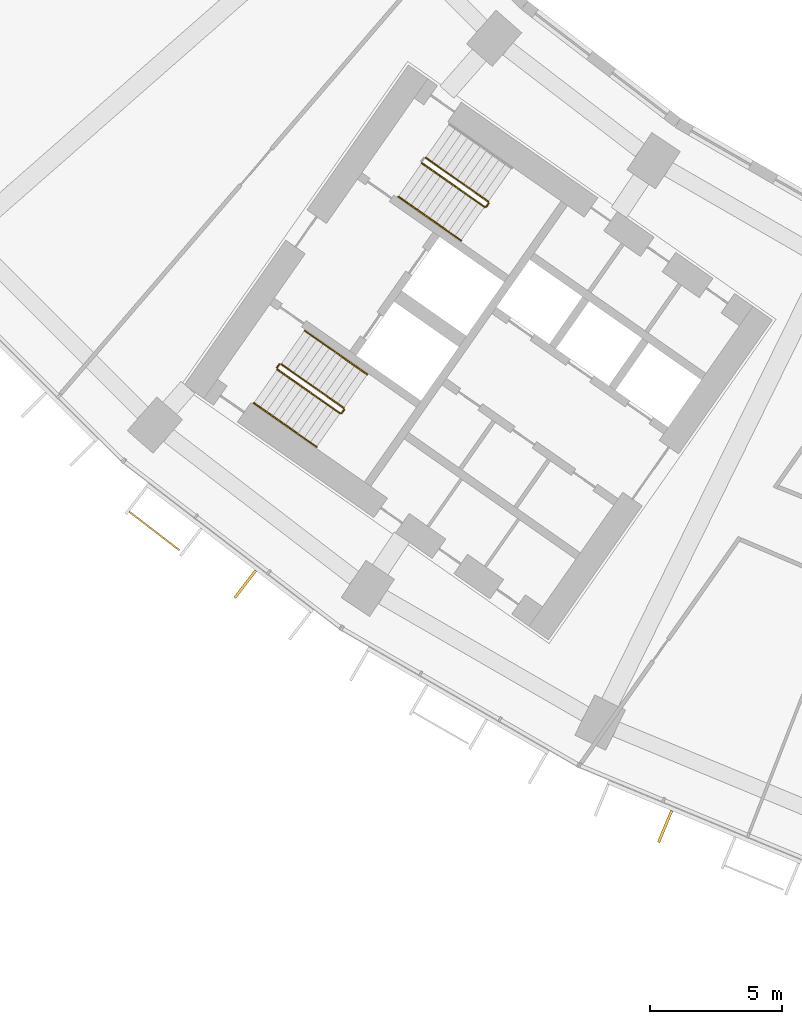
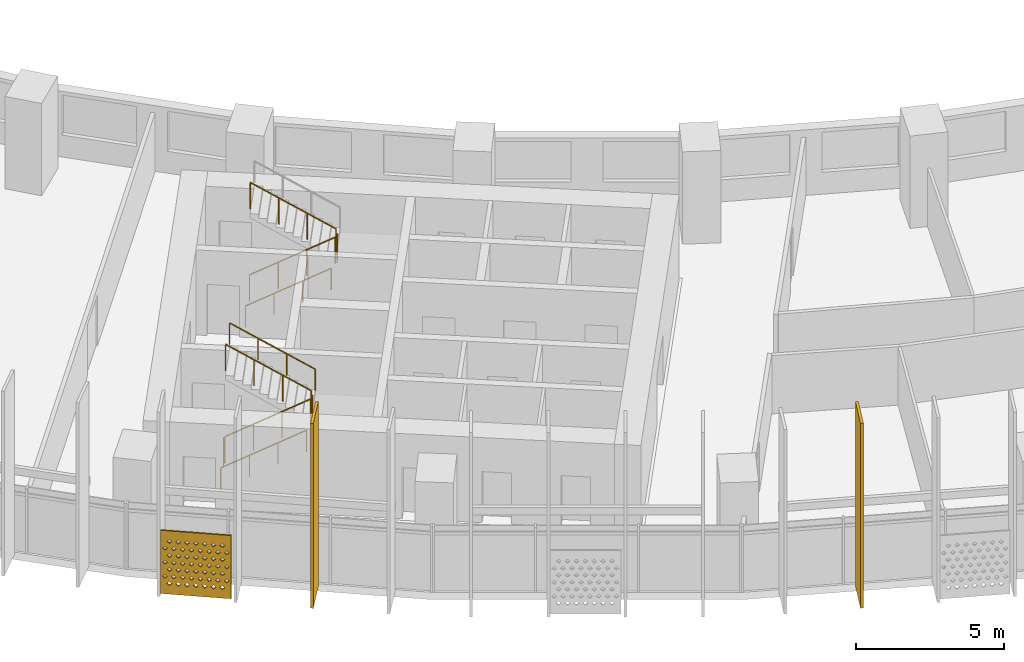
# One storey, part 26 of 32: 8 railings, 3 shading devices.
"""IFC4 building model written with IfcOpenShell, lengths in metres."""

from ifc_helpers import new_model, si_unit, direction, frame, origin, origin_2d, place, context, subcontext, project, spatial, polyline, rectangle, circle, outline, extrude, material, material_profile, profile_set, type_object, element, save


model = new_model("IFC4")

# Units and contexts
model_context = context("Model", 3, precision=1e-05, world=origin(), true_north=direction((0.0, 1.0)))
body_context = subcontext(model_context, "Body", "Model", "MODEL_VIEW")
ifc_project = project(units=[si_unit("LENGTHUNIT", "METRE"), si_unit("AREAUNIT", "SQUARE_METRE"), si_unit("VOLUMEUNIT", "CUBIC_METRE"), si_unit("PLANEANGLEUNIT", "RADIAN"), si_unit("MASSUNIT", "GRAM", prefix="KILO")], contexts=[model_context])

# Site, building, storey
site_placement = place(None, origin())
site = spatial("IfcSite", under=ifc_project, at=site_placement, CompositionType="ELEMENT")
building_placement = place(site_placement, origin())
building = spatial("IfcBuilding", under=site, at=building_placement, Name="Qamariyya Broadcast Tower", CompositionType="ELEMENT")
storey_placement = place(building_placement, frame((0.0, 0.0, 63.300048828125)))
storey = spatial("IfcBuildingStorey", under=building, at=storey_placement, Name="L12", CompositionType="ELEMENT", Elevation=63.300048828125)

# Shading device
ifc_material_1 = material(Name="Perforated glazed terracotta", Category="masonry")
ifc_material_profile_1 = material_profile(ifc_material_1, outline(polyline([(-1.199951171875, -1.300048828125), (1.199951171875, -1.300048828125), (1.199951171875, 1.300048828125), (-1.199951171875, 1.300048828125), (-1.199951171875, -1.300048828125)]), holes=[polyline([(-0.81494140625, -0.86669921875), (-0.89990234375, -0.78173828125), (-0.985107421875, -0.86669921875), (-0.89990234375, -0.95166015625), (-0.81494140625, -0.86669921875)]), polyline([(-0.514892578125, -0.86669921875), (-0.60009765625, -0.78173828125), (-0.68505859375, -0.86669921875), (-0.60009765625, -0.95166015625), (-0.514892578125, -0.86669921875)]), polyline([(-0.215087890625, -0.86669921875), (-0.300048828125, -0.78173828125), (-0.385009765625, -0.86669921875), (-0.300048828125, -0.95166015625), (-0.215087890625, -0.86669921875)]), polyline([(0.0849609375, -0.86669921875), (0.0, -0.78173828125), (-0.0849609375, -0.86669921875), (0.0, -0.95166015625), (0.0849609375, -0.86669921875)]), polyline([(0.385009765625, -0.86669921875), (0.300048828125, -0.78173828125), (0.215087890625, -0.86669921875), (0.300048828125, -0.95166015625), (0.385009765625, -0.86669921875)]), polyline([(0.68505859375, -0.86669921875), (0.60009765625, -0.78173828125), (0.514892578125, -0.86669921875), (0.60009765625, -0.95166015625), (0.68505859375, -0.86669921875)]), polyline([(0.985107421875, -0.86669921875), (0.89990234375, -0.78173828125), (0.81494140625, -0.86669921875), (0.89990234375, -0.95166015625), (0.985107421875, -0.86669921875)]), polyline([(-0.965087890625, -0.577880859375), (-1.050048828125, -0.49267578125), (-1.135009765625, -0.577880859375), (-1.050048828125, -0.662841796875), (-0.965087890625, -0.577880859375)]), polyline([(-0.6650390625, -0.577880859375), (-0.75, -0.49267578125), (-0.8349609375, -0.577880859375), (-0.75, -0.662841796875), (-0.6650390625, -0.577880859375)]), polyline([(-0.364990234375, -0.577880859375), (-0.449951171875, -0.49267578125), (-0.534912109375, -0.577880859375), (-0.449951171875, -0.662841796875), (-0.364990234375, -0.577880859375)]), polyline([(-0.06494140625, -0.577880859375), (-0.14990234375, -0.49267578125), (-0.235107421875, -0.577880859375), (-0.14990234375, -0.662841796875), (-0.06494140625, -0.577880859375)]), polyline([(0.235107421875, -0.577880859375), (0.14990234375, -0.49267578125), (0.06494140625, -0.577880859375), (0.14990234375, -0.662841796875), (0.235107421875, -0.577880859375)]), polyline([(0.534912109375, -0.577880859375), (0.449951171875, -0.49267578125), (0.364990234375, -0.577880859375), (0.449951171875, -0.662841796875), (0.534912109375, -0.577880859375)]), polyline([(0.8349609375, -0.577880859375), (0.75, -0.49267578125), (0.6650390625, -0.577880859375), (0.75, -0.662841796875), (0.8349609375, -0.577880859375)]), polyline([(1.135009765625, -0.577880859375), (1.050048828125, -0.49267578125), (0.965087890625, -0.577880859375), (1.050048828125, -0.662841796875), (1.135009765625, -0.577880859375)]), polyline([(-0.81494140625, -0.288818359375), (-0.89990234375, -0.203857421875), (-0.985107421875, -0.288818359375), (-0.89990234375, -0.373779296875), (-0.81494140625, -0.288818359375)]), polyline([(-0.514892578125, -0.288818359375), (-0.60009765625, -0.203857421875), (-0.68505859375, -0.288818359375), (-0.60009765625, -0.373779296875), (-0.514892578125, -0.288818359375)]), polyline([(-0.215087890625, -0.288818359375), (-0.300048828125, -0.203857421875), (-0.385009765625, -0.288818359375), (-0.300048828125, -0.373779296875), (-0.215087890625, -0.288818359375)]), polyline([(0.0849609375, -0.288818359375), (0.0, -0.203857421875), (-0.0849609375, -0.288818359375), (0.0, -0.373779296875), (0.0849609375, -0.288818359375)]), polyline([(0.385009765625, -0.288818359375), (0.300048828125, -0.203857421875), (0.215087890625, -0.288818359375), (0.300048828125, -0.373779296875), (0.385009765625, -0.288818359375)]), polyline([(0.68505859375, -0.288818359375), (0.60009765625, -0.203857421875), (0.514892578125, -0.288818359375), (0.60009765625, -0.373779296875), (0.68505859375, -0.288818359375)]), polyline([(0.985107421875, -0.288818359375), (0.89990234375, -0.203857421875), (0.81494140625, -0.288818359375), (0.89990234375, -0.373779296875), (0.985107421875, -0.288818359375)]), polyline([(-0.965087890625, 0.0), (-1.050048828125, 0.0849609375), (-1.135009765625, 0.0), (-1.050048828125, -0.0849609375), (-0.965087890625, 0.0)]), polyline([(-0.6650390625, 0.0), (-0.75, 0.0849609375), (-0.8349609375, 0.0), (-0.75, -0.0849609375), (-0.6650390625, 0.0)]), polyline([(-0.364990234375, 0.0), (-0.449951171875, 0.0849609375), (-0.534912109375, 0.0), (-0.449951171875, -0.0849609375), (-0.364990234375, 0.0)]), polyline([(-0.06494140625, 0.0), (-0.14990234375, 0.0849609375), (-0.235107421875, 0.0), (-0.14990234375, -0.0849609375), (-0.06494140625, 0.0)]), polyline([(0.235107421875, 0.0), (0.14990234375, 0.0849609375), (0.06494140625, 0.0), (0.14990234375, -0.0849609375), (0.235107421875, 0.0)]), polyline([(0.534912109375, 0.0), (0.449951171875, 0.0849609375), (0.364990234375, 0.0), (0.449951171875, -0.0849609375), (0.534912109375, 0.0)]), polyline([(0.8349609375, 0.0), (0.75, 0.0849609375), (0.6650390625, 0.0), (0.75, -0.0849609375), (0.8349609375, 0.0)]), polyline([(1.135009765625, 0.0), (1.050048828125, 0.0849609375), (0.965087890625, 0.0), (1.050048828125, -0.0849609375), (1.135009765625, 0.0)]), polyline([(-0.81494140625, 0.288818359375), (-0.89990234375, 0.373779296875), (-0.985107421875, 0.288818359375), (-0.89990234375, 0.203857421875), (-0.81494140625, 0.288818359375)]), polyline([(-0.514892578125, 0.288818359375), (-0.60009765625, 0.373779296875), (-0.68505859375, 0.288818359375), (-0.60009765625, 0.203857421875), (-0.514892578125, 0.288818359375)]), polyline([(-0.215087890625, 0.288818359375), (-0.300048828125, 0.373779296875), (-0.385009765625, 0.288818359375), (-0.300048828125, 0.203857421875), (-0.215087890625, 0.288818359375)]), polyline([(0.0849609375, 0.288818359375), (0.0, 0.373779296875), (-0.0849609375, 0.288818359375), (0.0, 0.203857421875), (0.0849609375, 0.288818359375)]), polyline([(0.385009765625, 0.288818359375), (0.300048828125, 0.373779296875), (0.215087890625, 0.288818359375), (0.300048828125, 0.203857421875), (0.385009765625, 0.288818359375)]), polyline([(0.68505859375, 0.288818359375), (0.60009765625, 0.373779296875), (0.514892578125, 0.288818359375), (0.60009765625, 0.203857421875), (0.68505859375, 0.288818359375)]), polyline([(0.985107421875, 0.288818359375), (0.89990234375, 0.373779296875), (0.81494140625, 0.288818359375), (0.89990234375, 0.203857421875), (0.985107421875, 0.288818359375)]), polyline([(-0.965087890625, 0.577880859375), (-1.050048828125, 0.662841796875), (-1.135009765625, 0.577880859375), (-1.050048828125, 0.49267578125), (-0.965087890625, 0.577880859375)]), polyline([(-0.6650390625, 0.577880859375), (-0.75, 0.662841796875), (-0.8349609375, 0.577880859375), (-0.75, 0.49267578125), (-0.6650390625, 0.577880859375)]), polyline([(-0.364990234375, 0.577880859375), (-0.449951171875, 0.662841796875), (-0.534912109375, 0.577880859375), (-0.449951171875, 0.49267578125), (-0.364990234375, 0.577880859375)]), polyline([(-0.06494140625, 0.577880859375), (-0.14990234375, 0.662841796875), (-0.235107421875, 0.577880859375), (-0.14990234375, 0.49267578125), (-0.06494140625, 0.577880859375)]), polyline([(0.235107421875, 0.577880859375), (0.14990234375, 0.662841796875), (0.06494140625, 0.577880859375), (0.14990234375, 0.49267578125), (0.235107421875, 0.577880859375)]), polyline([(0.534912109375, 0.577880859375), (0.449951171875, 0.662841796875), (0.364990234375, 0.577880859375), (0.449951171875, 0.49267578125), (0.534912109375, 0.577880859375)]), polyline([(0.8349609375, 0.577880859375), (0.75, 0.662841796875), (0.6650390625, 0.577880859375), (0.75, 0.49267578125), (0.8349609375, 0.577880859375)]), polyline([(1.135009765625, 0.577880859375), (1.050048828125, 0.662841796875), (0.965087890625, 0.577880859375), (1.050048828125, 0.49267578125), (1.135009765625, 0.577880859375)]), polyline([(-0.81494140625, 0.86669921875), (-0.89990234375, 0.95166015625), (-0.985107421875, 0.86669921875), (-0.89990234375, 0.78173828125), (-0.81494140625, 0.86669921875)]), polyline([(-0.514892578125, 0.86669921875), (-0.60009765625, 0.95166015625), (-0.68505859375, 0.86669921875), (-0.60009765625, 0.78173828125), (-0.514892578125, 0.86669921875)]), polyline([(-0.215087890625, 0.86669921875), (-0.300048828125, 0.95166015625), (-0.385009765625, 0.86669921875), (-0.300048828125, 0.78173828125), (-0.215087890625, 0.86669921875)]), polyline([(0.0849609375, 0.86669921875), (0.0, 0.95166015625), (-0.0849609375, 0.86669921875), (0.0, 0.78173828125), (0.0849609375, 0.86669921875)]), polyline([(0.385009765625, 0.86669921875), (0.300048828125, 0.95166015625), (0.215087890625, 0.86669921875), (0.300048828125, 0.78173828125), (0.385009765625, 0.86669921875)]), polyline([(0.68505859375, 0.86669921875), (0.60009765625, 0.95166015625), (0.514892578125, 0.86669921875), (0.60009765625, 0.78173828125), (0.68505859375, 0.86669921875)]), polyline([(0.985107421875, 0.86669921875), (0.89990234375, 0.95166015625), (0.81494140625, 0.86669921875), (0.89990234375, 0.78173828125), (0.985107421875, 0.86669921875)])]))
ifc_profile_set_1 = profile_set([ifc_material_profile_1], Name="Perforated glazed terracotta")
shading_device_type_1 = type_object("IfcShadingDeviceType", Name="Perforated terracotta screen 2400 x 2600", PredefinedType="USERDEFINED", material=ifc_profile_set_1)
shading_device_placement = place(storey_placement, frame((-51.26513671875, -62.4453125, 1.349853515625), z_axis=(-0.60971076085, -0.792623989105, 0.0), x_axis=(0.792623989105, -0.60971076085, 0.0)))
element("IfcShadingDevice", 1, at=shading_device_placement, inside=storey, type_object=shading_device_type_1, Name="e-scr-L12-03-0", ObjectType="SCREEN", PredefinedType="USERDEFINED", context=body_context, shape_type="SweptSolid", body=[
    extrude(outline(polyline([(-1.199951171875, -1.300048828125), (1.199951171875, -1.300048828125), (1.199951171875, 1.300048828125), (-1.199951171875, 1.300048828125), (-1.199951171875, -1.300048828125)]), holes=[polyline([(-0.81494140625, -0.86669921875), (-0.89990234375, -0.78173828125), (-0.985107421875, -0.86669921875), (-0.89990234375, -0.95166015625), (-0.81494140625, -0.86669921875)]), polyline([(-0.514892578125, -0.86669921875), (-0.60009765625, -0.78173828125), (-0.68505859375, -0.86669921875), (-0.60009765625, -0.95166015625), (-0.514892578125, -0.86669921875)]), polyline([(-0.215087890625, -0.86669921875), (-0.300048828125, -0.78173828125), (-0.385009765625, -0.86669921875), (-0.300048828125, -0.95166015625), (-0.215087890625, -0.86669921875)]), polyline([(0.0849609375, -0.86669921875), (0.0, -0.78173828125), (-0.0849609375, -0.86669921875), (0.0, -0.95166015625), (0.0849609375, -0.86669921875)]), polyline([(0.385009765625, -0.86669921875), (0.300048828125, -0.78173828125), (0.215087890625, -0.86669921875), (0.300048828125, -0.95166015625), (0.385009765625, -0.86669921875)]), polyline([(0.68505859375, -0.86669921875), (0.60009765625, -0.78173828125), (0.514892578125, -0.86669921875), (0.60009765625, -0.95166015625), (0.68505859375, -0.86669921875)]), polyline([(0.985107421875, -0.86669921875), (0.89990234375, -0.78173828125), (0.81494140625, -0.86669921875), (0.89990234375, -0.95166015625), (0.985107421875, -0.86669921875)]), polyline([(-0.965087890625, -0.577880859375), (-1.050048828125, -0.49267578125), (-1.135009765625, -0.577880859375), (-1.050048828125, -0.662841796875), (-0.965087890625, -0.577880859375)]), polyline([(-0.6650390625, -0.577880859375), (-0.75, -0.49267578125), (-0.8349609375, -0.577880859375), (-0.75, -0.662841796875), (-0.6650390625, -0.577880859375)]), polyline([(-0.364990234375, -0.577880859375), (-0.449951171875, -0.49267578125), (-0.534912109375, -0.577880859375), (-0.449951171875, -0.662841796875), (-0.364990234375, -0.577880859375)]), polyline([(-0.06494140625, -0.577880859375), (-0.14990234375, -0.49267578125), (-0.235107421875, -0.577880859375), (-0.14990234375, -0.662841796875), (-0.06494140625, -0.577880859375)]), polyline([(0.235107421875, -0.577880859375), (0.14990234375, -0.49267578125), (0.06494140625, -0.577880859375), (0.14990234375, -0.662841796875), (0.235107421875, -0.577880859375)]), polyline([(0.534912109375, -0.577880859375), (0.449951171875, -0.49267578125), (0.364990234375, -0.577880859375), (0.449951171875, -0.662841796875), (0.534912109375, -0.577880859375)]), polyline([(0.8349609375, -0.577880859375), (0.75, -0.49267578125), (0.6650390625, -0.577880859375), (0.75, -0.662841796875), (0.8349609375, -0.577880859375)]), polyline([(1.135009765625, -0.577880859375), (1.050048828125, -0.49267578125), (0.965087890625, -0.577880859375), (1.050048828125, -0.662841796875), (1.135009765625, -0.577880859375)]), polyline([(-0.81494140625, -0.288818359375), (-0.89990234375, -0.203857421875), (-0.985107421875, -0.288818359375), (-0.89990234375, -0.373779296875), (-0.81494140625, -0.288818359375)]), polyline([(-0.514892578125, -0.288818359375), (-0.60009765625, -0.203857421875), (-0.68505859375, -0.288818359375), (-0.60009765625, -0.373779296875), (-0.514892578125, -0.288818359375)]), polyline([(-0.215087890625, -0.288818359375), (-0.300048828125, -0.203857421875), (-0.385009765625, -0.288818359375), (-0.300048828125, -0.373779296875), (-0.215087890625, -0.288818359375)]), polyline([(0.0849609375, -0.288818359375), (0.0, -0.203857421875), (-0.0849609375, -0.288818359375), (0.0, -0.373779296875), (0.0849609375, -0.288818359375)]), polyline([(0.385009765625, -0.288818359375), (0.300048828125, -0.203857421875), (0.215087890625, -0.288818359375), (0.300048828125, -0.373779296875), (0.385009765625, -0.288818359375)]), polyline([(0.68505859375, -0.288818359375), (0.60009765625, -0.203857421875), (0.514892578125, -0.288818359375), (0.60009765625, -0.373779296875), (0.68505859375, -0.288818359375)]), polyline([(0.985107421875, -0.288818359375), (0.89990234375, -0.203857421875), (0.81494140625, -0.288818359375), (0.89990234375, -0.373779296875), (0.985107421875, -0.288818359375)]), polyline([(-0.965087890625, 0.0), (-1.050048828125, 0.0849609375), (-1.135009765625, 0.0), (-1.050048828125, -0.0849609375), (-0.965087890625, 0.0)]), polyline([(-0.6650390625, 0.0), (-0.75, 0.0849609375), (-0.8349609375, 0.0), (-0.75, -0.0849609375), (-0.6650390625, 0.0)]), polyline([(-0.364990234375, 0.0), (-0.449951171875, 0.0849609375), (-0.534912109375, 0.0), (-0.449951171875, -0.0849609375), (-0.364990234375, 0.0)]), polyline([(-0.06494140625, 0.0), (-0.14990234375, 0.0849609375), (-0.235107421875, 0.0), (-0.14990234375, -0.0849609375), (-0.06494140625, 0.0)]), polyline([(0.235107421875, 0.0), (0.14990234375, 0.0849609375), (0.06494140625, 0.0), (0.14990234375, -0.0849609375), (0.235107421875, 0.0)]), polyline([(0.534912109375, 0.0), (0.449951171875, 0.0849609375), (0.364990234375, 0.0), (0.449951171875, -0.0849609375), (0.534912109375, 0.0)]), polyline([(0.8349609375, 0.0), (0.75, 0.0849609375), (0.6650390625, 0.0), (0.75, -0.0849609375), (0.8349609375, 0.0)]), polyline([(1.135009765625, 0.0), (1.050048828125, 0.0849609375), (0.965087890625, 0.0), (1.050048828125, -0.0849609375), (1.135009765625, 0.0)]), polyline([(-0.81494140625, 0.288818359375), (-0.89990234375, 0.373779296875), (-0.985107421875, 0.288818359375), (-0.89990234375, 0.203857421875), (-0.81494140625, 0.288818359375)]), polyline([(-0.514892578125, 0.288818359375), (-0.60009765625, 0.373779296875), (-0.68505859375, 0.288818359375), (-0.60009765625, 0.203857421875), (-0.514892578125, 0.288818359375)]), polyline([(-0.215087890625, 0.288818359375), (-0.300048828125, 0.373779296875), (-0.385009765625, 0.288818359375), (-0.300048828125, 0.203857421875), (-0.215087890625, 0.288818359375)]), polyline([(0.0849609375, 0.288818359375), (0.0, 0.373779296875), (-0.0849609375, 0.288818359375), (0.0, 0.203857421875), (0.0849609375, 0.288818359375)]), polyline([(0.385009765625, 0.288818359375), (0.300048828125, 0.373779296875), (0.215087890625, 0.288818359375), (0.300048828125, 0.203857421875), (0.385009765625, 0.288818359375)]), polyline([(0.68505859375, 0.288818359375), (0.60009765625, 0.373779296875), (0.514892578125, 0.288818359375), (0.60009765625, 0.203857421875), (0.68505859375, 0.288818359375)]), polyline([(0.985107421875, 0.288818359375), (0.89990234375, 0.373779296875), (0.81494140625, 0.288818359375), (0.89990234375, 0.203857421875), (0.985107421875, 0.288818359375)]), polyline([(-0.965087890625, 0.577880859375), (-1.050048828125, 0.662841796875), (-1.135009765625, 0.577880859375), (-1.050048828125, 0.49267578125), (-0.965087890625, 0.577880859375)]), polyline([(-0.6650390625, 0.577880859375), (-0.75, 0.662841796875), (-0.8349609375, 0.577880859375), (-0.75, 0.49267578125), (-0.6650390625, 0.577880859375)]), polyline([(-0.364990234375, 0.577880859375), (-0.449951171875, 0.662841796875), (-0.534912109375, 0.577880859375), (-0.449951171875, 0.49267578125), (-0.364990234375, 0.577880859375)]), polyline([(-0.06494140625, 0.577880859375), (-0.14990234375, 0.662841796875), (-0.235107421875, 0.577880859375), (-0.14990234375, 0.49267578125), (-0.06494140625, 0.577880859375)]), polyline([(0.235107421875, 0.577880859375), (0.14990234375, 0.662841796875), (0.06494140625, 0.577880859375), (0.14990234375, 0.49267578125), (0.235107421875, 0.577880859375)]), polyline([(0.534912109375, 0.577880859375), (0.449951171875, 0.662841796875), (0.364990234375, 0.577880859375), (0.449951171875, 0.49267578125), (0.534912109375, 0.577880859375)]), polyline([(0.8349609375, 0.577880859375), (0.75, 0.662841796875), (0.6650390625, 0.577880859375), (0.75, 0.49267578125), (0.8349609375, 0.577880859375)]), polyline([(1.135009765625, 0.577880859375), (1.050048828125, 0.662841796875), (0.965087890625, 0.577880859375), (1.050048828125, 0.49267578125), (1.135009765625, 0.577880859375)]), polyline([(-0.81494140625, 0.86669921875), (-0.89990234375, 0.95166015625), (-0.985107421875, 0.86669921875), (-0.89990234375, 0.78173828125), (-0.81494140625, 0.86669921875)]), polyline([(-0.514892578125, 0.86669921875), (-0.60009765625, 0.95166015625), (-0.68505859375, 0.86669921875), (-0.60009765625, 0.78173828125), (-0.514892578125, 0.86669921875)]), polyline([(-0.215087890625, 0.86669921875), (-0.300048828125, 0.95166015625), (-0.385009765625, 0.86669921875), (-0.300048828125, 0.78173828125), (-0.215087890625, 0.86669921875)]), polyline([(0.0849609375, 0.86669921875), (0.0, 0.95166015625), (-0.0849609375, 0.86669921875), (0.0, 0.78173828125), (0.0849609375, 0.86669921875)]), polyline([(0.385009765625, 0.86669921875), (0.300048828125, 0.95166015625), (0.215087890625, 0.86669921875), (0.300048828125, 0.78173828125), (0.385009765625, 0.86669921875)]), polyline([(0.68505859375, 0.86669921875), (0.60009765625, 0.95166015625), (0.514892578125, 0.86669921875), (0.60009765625, 0.78173828125), (0.68505859375, 0.86669921875)]), polyline([(0.985107421875, 0.86669921875), (0.89990234375, 0.95166015625), (0.81494140625, 0.86669921875), (0.89990234375, 0.78173828125), (0.985107421875, 0.86669921875)])]), origin(), (0.0, 0.0, 1.0), 0.06005859375),
])

# Railings
ifc_material_2 = material(Name="Painted steel", Category="steel")
railing_type_1 = type_object("IfcRailingType", Name="Stair guard", PredefinedType="GUARDRAIL", material=ifc_material_2)
railing_1_placement = place(storey_placement, frame((-41.146728515625, -48.52490234375, 0.172607421875)))
element("IfcRailing", 2, at=railing_1_placement, inside=storey, type_object=railing_type_1, Name="L12 ST-W2 stair guard 1", PredefinedType="GUARDRAIL", context=body_context, shape_type="SweptSolid", body=[
    extrude(circle(Radius=0.02392578125, at=origin_2d()), frame((0.0, 0.0, 1.076171875), z_axis=(0.703770094002, -0.492783725636, 0.511734163933), x_axis=(0.573575343427, 0.819152809562, 0.0)), (0.0, 0.0, 1.0), 3.37548828125),
    extrude(circle(Radius=0.02392578125, at=origin_2d()), frame((2.37548828125, -1.663330078125, 2.80322265625), z_axis=(0.985059694769, 0.172213233351, 0.0), x_axis=(-0.172213233351, 0.985059694769, 0.0)), (0.0, 0.0, 1.0), 0.07080078125),
    extrude(circle(Radius=0.02392578125, at=origin_2d()), frame((2.4453125, -1.651123046875, 2.80322265625), z_axis=(0.572588637393, 0.819842821722, 0.0), x_axis=(-0.819842821722, 0.572588637393, 0.0)), (0.0, 0.0, 1.0), 0.150146484375),
    extrude(circle(Radius=0.02099609375, at=origin_2d()), origin(), (0.0, 0.0, 1.0), 1.052001953125),
    extrude(circle(Radius=0.02099609375, at=origin_2d()), frame((0.791748046875, -0.554443359375, 0.57568359375)), (0.0, 0.0, 1.0), 1.052001953125),
    extrude(circle(Radius=0.02099609375, at=origin_2d()), frame((1.583740234375, -1.10888671875, 1.151611328125)), (0.0, 0.0, 1.0), 1.052001953125),
    extrude(circle(Radius=0.02099609375, at=origin_2d()), frame((2.37548828125, -1.663330078125, 1.727294921875)), (0.0, 0.0, 1.0), 1.052001953125),
    extrude(circle(Radius=0.02099609375, at=origin_2d()), frame((2.4453125, -1.651123046875, 1.727294921875)), (0.0, 0.0, 1.0), 1.052001953125),
    extrude(circle(Radius=0.02099609375, at=origin_2d()), frame((2.53125, -1.528076171875, 1.727294921875)), (0.0, 0.0, 1.0), 1.052001953125),
])
railing_2_placement = place(storey_placement, frame((-38.627685546875, -49.9833984375, 2.07275390625)))
element("IfcRailing", 3, at=railing_2_placement, inside=storey, type_object=railing_type_1, Name="L12 ST-W2 stair guard 2", PredefinedType="GUARDRAIL", context=body_context, shape_type="SweptSolid", body=[
    extrude(circle(Radius=0.02392578125, at=origin_2d()), frame((0.0, 0.0, 1.076171875), z_axis=(-0.703770094002, 0.492783725636, 0.511734163933), x_axis=(-0.573575343427, -0.819152809562, 0.0)), (0.0, 0.0, 1.0), 3.37548828125),
    extrude(circle(Radius=0.02099609375, at=origin_2d()), origin(), (0.0, 0.0, 1.0), 1.052001953125),
    extrude(circle(Radius=0.02099609375, at=origin_2d()), frame((-0.791748046875, 0.554443359375, 0.57568359375)), (0.0, 0.0, 1.0), 1.052001953125),
    extrude(circle(Radius=0.02099609375, at=origin_2d()), frame((-1.583740234375, 1.10888671875, 1.151611328125)), (0.0, 0.0, 1.0), 1.052001953125),
    extrude(circle(Radius=0.02099609375, at=origin_2d()), frame((-2.37548828125, 1.663330078125, 1.727294921875)), (0.0, 0.0, 1.0), 1.052001953125),
])
railing_3_placement = place(storey_placement, frame((-46.624267578125, -56.34765625, 0.172607421875)))
element("IfcRailing", 4, at=railing_3_placement, inside=storey, type_object=railing_type_1, Name="L12 ST-W1 stair guard 1", PredefinedType="GUARDRAIL", context=body_context, shape_type="SweptSolid", body=[
    extrude(circle(Radius=0.02392578125, at=origin_2d()), frame((0.0, 0.0, 1.076171875), z_axis=(0.703745009021, -0.492838488332, 0.511715923826), x_axis=(0.573631830683, 0.819113253969, 0.0)), (0.0, 0.0, 1.0), 3.37548828125),
    extrude(circle(Radius=0.02392578125, at=origin_2d()), frame((2.37548828125, -1.66357421875, 2.80322265625), z_axis=(0.984363469884, 0.176149252506, 0.0), x_axis=(-0.176149252506, 0.984363469884, 0.0)), (0.0, 0.0, 1.0), 0.07080078125),
    extrude(circle(Radius=0.02392578125, at=origin_2d()), frame((2.445068359375, -1.651123046875, 2.80322265625), z_axis=(0.574444878118, 0.818543268254, 0.0), x_axis=(-0.818543268254, 0.574444878118, 0.0)), (0.0, 0.0, 1.0), 0.150146484375),
    extrude(circle(Radius=0.02099609375, at=origin_2d()), origin(), (0.0, 0.0, 1.0), 1.052001953125),
    extrude(circle(Radius=0.02099609375, at=origin_2d()), frame((0.791748046875, -0.554443359375, 0.57568359375)), (0.0, 0.0, 1.0), 1.052001953125),
    extrude(circle(Radius=0.02099609375, at=origin_2d()), frame((1.583740234375, -1.109130859375, 1.151611328125)), (0.0, 0.0, 1.0), 1.052001953125),
    extrude(circle(Radius=0.02099609375, at=origin_2d()), frame((2.37548828125, -1.66357421875, 1.727294921875)), (0.0, 0.0, 1.0), 1.052001953125),
    extrude(circle(Radius=0.02099609375, at=origin_2d()), frame((2.445068359375, -1.651123046875, 1.727294921875)), (0.0, 0.0, 1.0), 1.052001953125),
    extrude(circle(Radius=0.02099609375, at=origin_2d()), frame((2.53125, -1.5283203125, 1.727294921875)), (0.0, 0.0, 1.0), 1.052001953125),
])
railing_4_placement = place(storey_placement, frame((-44.10546875, -57.806396484375, 2.07275390625)))
element("IfcRailing", 5, at=railing_4_placement, inside=storey, type_object=railing_type_1, Name="L12 ST-W1 stair guard 2", PredefinedType="GUARDRAIL", context=body_context, shape_type="SweptSolid", body=[
    extrude(circle(Radius=0.02392578125, at=origin_2d()), frame((0.0, 0.0, 1.076171875), z_axis=(-0.703770094002, 0.492783725636, 0.511734163933), x_axis=(-0.573575343427, -0.819152809562, 0.0)), (0.0, 0.0, 1.0), 3.37548828125),
    extrude(circle(Radius=0.02099609375, at=origin_2d()), origin(), (0.0, 0.0, 1.0), 1.052001953125),
    extrude(circle(Radius=0.02099609375, at=origin_2d()), frame((-0.791748046875, 0.554443359375, 0.57568359375)), (0.0, 0.0, 1.0), 1.052001953125),
    extrude(circle(Radius=0.02099609375, at=origin_2d()), frame((-1.583740234375, 1.10888671875, 1.151611328125)), (0.0, 0.0, 1.0), 1.052001953125),
    extrude(circle(Radius=0.02099609375, at=origin_2d()), frame((-2.37548828125, 1.663330078125, 1.727294921875)), (0.0, 0.0, 1.0), 1.052001953125),
])
railing_5_placement = place(storey_placement, frame((-46.63671875, -56.278076171875, 0.0)))
element("IfcRailing", 6, at=railing_5_placement, inside=storey, type_object=railing_type_1, Name="L12 ST-W1 stair guard 3", PredefinedType="GUARDRAIL", context=body_context, shape_type="SweptSolid", body=[
    extrude(circle(Radius=0.02392578125, at=origin_2d()), frame((0.0, 0.0, 1.076171875), z_axis=(0.574444878118, 0.818543268254, 0.0), x_axis=(-0.818543268254, 0.574444878118, 0.0)), (0.0, 0.0, 1.0), 0.150146484375),
    extrude(circle(Radius=0.02099609375, at=origin_2d()), origin(), (0.0, 0.0, 1.0), 1.052001953125),
    extrude(circle(Radius=0.02099609375, at=origin_2d()), frame((0.086181640625, 0.122802734375, 0.0)), (0.0, 0.0, 1.0), 1.052001953125),
])
ifc_material_3 = material(Name="Stainless steel", Category="steel")
railing_type_2 = type_object("IfcRailingType", Name="Stair handrail", PredefinedType="HANDRAIL", material=ifc_material_3)
railing_6_placement = place(storey_placement, frame((-42.03564453125, -49.79443359375, 0.172607421875)))
element("IfcRailing", 7, at=railing_6_placement, inside=storey, type_object=railing_type_2, Name="L12 ST-W2 stair handrail 1", PredefinedType="HANDRAIL", context=body_context, shape_type="SweptSolid", body=[
    extrude(circle(Radius=0.02392578125, at=origin_2d()), frame((0.0, 0.0, 0.8759765625), z_axis=(0.703745009021, -0.492838488332, 0.511715923826), x_axis=(0.573631830683, 0.819113253969, 0.0)), (0.0, 0.0, 1.0), 3.37548828125),
    extrude(circle(Radius=0.02099609375, at=origin_2d()), origin(), (0.0, 0.0, 1.0), 0.851806640625),
    extrude(circle(Radius=0.02099609375, at=origin_2d()), frame((0.791748046875, -0.554443359375, 0.57568359375)), (0.0, 0.0, 1.0), 0.851806640625),
    extrude(circle(Radius=0.02099609375, at=origin_2d()), frame((1.583740234375, -1.109130859375, 1.151611328125)), (0.0, 0.0, 1.0), 0.851806640625),
    extrude(circle(Radius=0.02099609375, at=origin_2d()), frame((2.37548828125, -1.66357421875, 1.727294921875)), (0.0, 0.0, 1.0), 0.851806640625),
])
railing_7_placement = place(storey_placement, frame((-47.513427734375, -57.617431640625, 0.172607421875)))
element("IfcRailing", 8, at=railing_7_placement, inside=storey, type_object=railing_type_2, Name="L12 ST-W1 stair handrail 1", PredefinedType="HANDRAIL", context=body_context, shape_type="SweptSolid", body=[
    extrude(circle(Radius=0.02392578125, at=origin_2d()), frame((0.0, 0.0, 0.8759765625), z_axis=(0.703770094002, -0.492783725636, 0.511734163933), x_axis=(0.573575343427, 0.819152809562, 0.0)), (0.0, 0.0, 1.0), 3.37548828125),
    extrude(circle(Radius=0.02099609375, at=origin_2d()), origin(), (0.0, 0.0, 1.0), 0.851806640625),
    extrude(circle(Radius=0.02099609375, at=origin_2d()), frame((0.791748046875, -0.554443359375, 0.57568359375)), (0.0, 0.0, 1.0), 0.851806640625),
    extrude(circle(Radius=0.02099609375, at=origin_2d()), frame((1.583740234375, -1.10888671875, 1.151611328125)), (0.0, 0.0, 1.0), 0.851806640625),
    extrude(circle(Radius=0.02099609375, at=origin_2d()), frame((2.37548828125, -1.663330078125, 1.727294921875)), (0.0, 0.0, 1.0), 0.851806640625),
])
railing_8_placement = place(storey_placement, frame((-43.21630859375, -56.53662109375, 2.07275390625)))
element("IfcRailing", 9, at=railing_8_placement, inside=storey, type_object=railing_type_2, Name="L12 ST-W1 stair handrail 2", PredefinedType="HANDRAIL", context=body_context, shape_type="SweptSolid", body=[
    extrude(circle(Radius=0.02392578125, at=origin_2d()), frame((0.0, 0.0, 0.8759765625), z_axis=(-0.703770094002, 0.492783725636, 0.511734163933), x_axis=(-0.573575343427, -0.819152809562, 0.0)), (0.0, 0.0, 1.0), 3.37548828125),
    extrude(circle(Radius=0.02099609375, at=origin_2d()), origin(), (0.0, 0.0, 1.0), 0.851806640625),
    extrude(circle(Radius=0.02099609375, at=origin_2d()), frame((-0.791748046875, 0.554443359375, 0.57568359375)), (0.0, 0.0, 1.0), 0.851806640625),
    extrude(circle(Radius=0.02099609375, at=origin_2d()), frame((-1.583740234375, 1.10888671875, 1.151611328125)), (0.0, 0.0, 1.0), 0.851806640625),
    extrude(circle(Radius=0.02099609375, at=origin_2d()), frame((-2.37548828125, 1.663330078125, 1.727294921875)), (0.0, 0.0, 1.0), 0.851806640625),
])

# Shading devices
ifc_material_4 = material(Name="Glazed terracotta", Category="masonry")
ifc_material_profile_2 = material_profile(ifc_material_4, rectangle(XDim=1.300048828125, YDim=0.10009765625, at=origin_2d()))
ifc_profile_set_2 = profile_set([ifc_material_profile_2], Name="Glazed terracotta")
shading_device_type_2 = type_object("IfcShadingDeviceType", Name="Terracotta fin 100 x 1300", PredefinedType="USERDEFINED", material=ifc_profile_set_2)
for number, where, z_axis, x_axis, name in (
    (10, (-47.837890625, -64.48291015625, 0.0), (0.0, 0.0, 1.0), (-0.608761429009, -0.793353340291, 0.0), "e-fin-L12-03-2"),
    (11, (-31.9248046875, -73.670166015625, 0.0), (0.0, 0.0, 1.0), (-0.382683432365, -0.923879532511, 0.0), "e-fin-L12-05-1"),
):
    element("IfcShadingDevice", number, at=place(storey_placement, frame(where, z_axis=z_axis, x_axis=x_axis)), inside=storey, type_object=shading_device_type_2, Name=name, ObjectType="FIN", PredefinedType="USERDEFINED", context=body_context, shape_type="SweptSolid", body=[
        extrude(rectangle(XDim=1.300048828125, YDim=0.10009765625, at=origin_2d()), origin(), (0.0, 0.0, 1.0), 7.599853515625),
    ])

save(model, "model.ifc")
